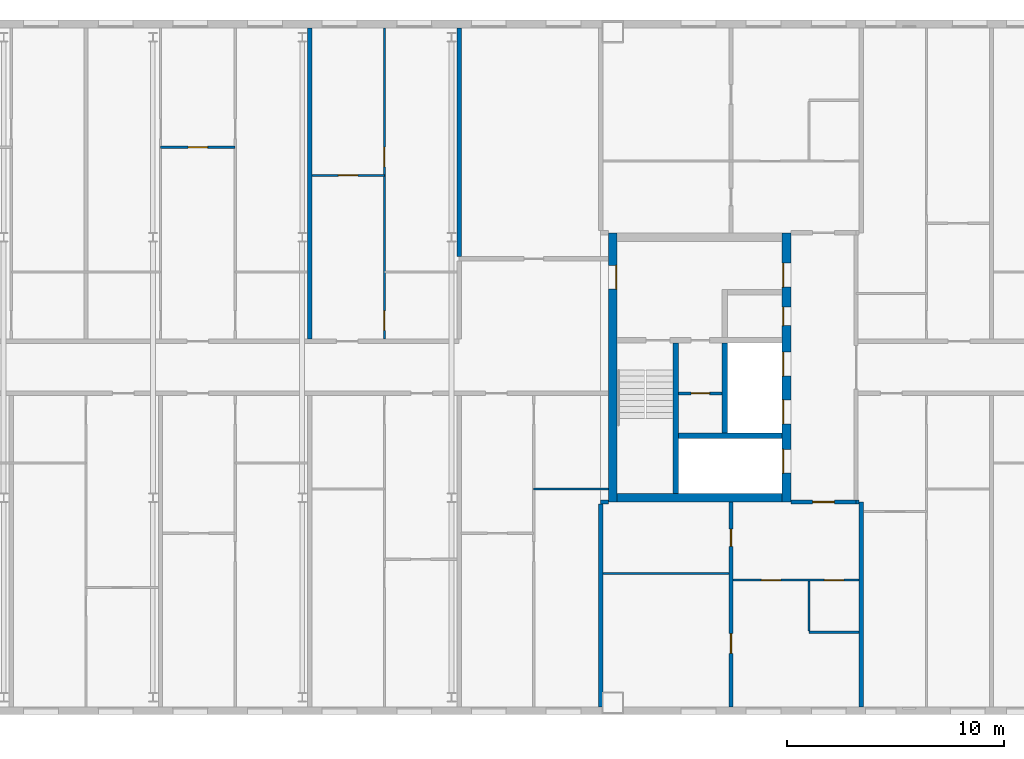
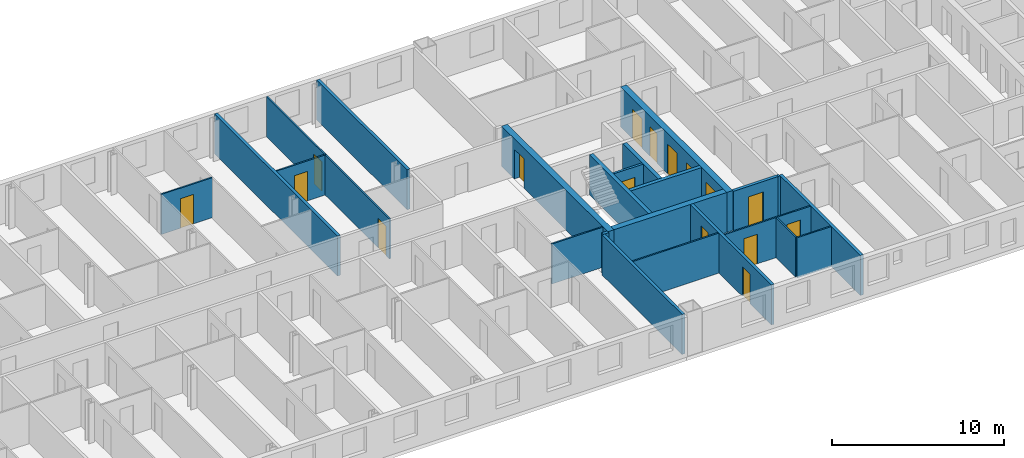
# One storey, part 13 of 19: 23 walls, 16 doors, 16 openings.
"""IFC4 building model written with IfcOpenShell, lengths in metres."""

import ifcopenshell
import ifcopenshell.guid

model = None  # the IFC model being written
_history = None  # IfcOwnerHistory: only IFC2X3 demands one
_inside = {}  # id of a spatial element -> (the spatial element, [elements in it])
_under = {}  # id of a project, library or spatial element -> (it, [spatial elements below it])
_declared = {}  # id of a project -> (the project, [libraries it declares])
_typed = {}  # id of a type object -> (the type object, [elements of that type])
_made_of = {}  # id of a material, layer set ... -> (it, [elements and type objects made of it])


def new_model(schema):
    """Start an empty IFC model of exactly this schema.

    Asked for "IFC4X3", IfcOpenShell would pick the latest addendum, in which some entities
    have other attributes; the version numbers below select the first issue.
    IFC2X3 requires an IfcOwnerHistory on every rooted entity: one is made here for all.
    """
    global model, _history
    if schema == "IFC4X3":
        model = ifcopenshell.file(schema_version=(4, 3, 0, 0))
    else:
        model = ifcopenshell.file(schema=schema)
    _inside.clear()
    _under.clear()
    _declared.clear()
    _typed.clear()
    _made_of.clear()
    _history = None
    if model.schema == "IFC2X3":
        org = make("IfcOrganization", Name="unknown")
        user = make(
            "IfcPersonAndOrganization",
            ThePerson=make("IfcPerson", FamilyName="unknown"),
            TheOrganization=org,
        )
        app = make(
            "IfcApplication",
            ApplicationDeveloper=org,
            Version="unknown",
            ApplicationFullName="unknown",
            ApplicationIdentifier="unknown",
        )
        _history = make(
            "IfcOwnerHistory",
            OwningUser=user,
            OwningApplication=app,
            ChangeAction="ADDED",
            CreationDate=0,
        )
    return model


def make(cls, **values):
    """One entity of the class cls with the attributes given. An attribute that is None is left unset."""
    return model.create_entity(
        cls, **{name: value for name, value in values.items() if value is not None}
    )


def rooted(cls, **values):
    """An entity with a GlobalId (a new one), such as an element, a storey or a relation."""
    return make(cls, GlobalId=ifcopenshell.guid.new(), OwnerHistory=_history, **values)


def si_unit(unit_type, name, prefix=None):
    """IfcSIUnit, for example si_unit("LENGTHUNIT", "METRE", prefix="MILLI")."""
    return make("IfcSIUnit", UnitType=unit_type, Prefix=prefix, Name=name)


def assignment(units):
    """IfcUnitAssignment: the units of a project."""
    return None if units is None else make("IfcUnitAssignment", Units=units)


def point(xyz):
    """IfcCartesianPoint."""
    return None if xyz is None else make("IfcCartesianPoint", Coordinates=xyz)


def direction(xyz):
    """IfcDirection."""
    return None if xyz is None else make("IfcDirection", DirectionRatios=xyz)


def frame(location, z_axis=None, x_axis=None):
    """IfcAxis2Placement3D, a coordinate frame: its origin and axes. An axis left out is left unset."""
    return make(
        "IfcAxis2Placement3D",
        Location=point(location),
        Axis=direction(z_axis),
        RefDirection=direction(x_axis),
    )


def frame_2d(location, x_axis=None):
    """IfcAxis2Placement2D, a coordinate frame in the plane: its origin and x axis."""
    return make(
        "IfcAxis2Placement2D", Location=point(location), RefDirection=direction(x_axis)
    )


def origin():
    """The frame at (0, 0, 0) with its axes left unset."""
    return frame((0.0, 0.0, 0.0))


def place(relative_to, where):
    """IfcLocalPlacement: puts the frame where relative to a parent placement (None: the world)."""
    return make(
        "IfcLocalPlacement", PlacementRelTo=relative_to, RelativePlacement=where
    )


def context(
    kind, dimensions, precision=None, world=None, true_north=None, identifier=None
):
    """IfcGeometricRepresentationContext, for example the 3D "Model" context."""
    return make(
        "IfcGeometricRepresentationContext",
        ContextIdentifier=identifier,
        ContextType=kind,
        CoordinateSpaceDimension=dimensions,
        Precision=precision,
        WorldCoordinateSystem=world,
        TrueNorth=true_north,
    )


def subcontext(parent, identifier, kind, view, scale=None):
    """IfcGeometricRepresentationSubContext, for example "Body" below "Model"."""
    return make(
        "IfcGeometricRepresentationSubContext",
        ContextIdentifier=identifier,
        ContextType=kind,
        ParentContext=parent,
        TargetScale=scale,
        TargetView=view,
    )


def project(units=None, contexts=None):
    """IfcProject with its units and contexts."""
    return rooted(
        "IfcProject",
        Name="project",
        RepresentationContexts=contexts,
        UnitsInContext=assignment(units),
    )


def spatial(cls, under=None, at=None, **own):
    """A site, building, storey or space (cls), placed at a placement, below another one or the project."""
    s = rooted(cls, ObjectPlacement=at, **own)
    if under is not None:
        _under.setdefault(under.id(), (under, []))[1].append(s)
    return s


def profile(cls, at=None, kind="AREA", **sizes):
    """A parametric profile (cls). Its sizes go by their IFC names, for example OverallWidth=200.0."""
    return make(cls, ProfileType=kind, Position=at, **sizes)


def rectangle(**sizes):
    """IfcRectangleProfileDef."""
    return profile("IfcRectangleProfileDef", **sizes)


def extrude(swept, where, along, depth):
    """IfcExtrudedAreaSolid: the profile swept, set in the frame where, extruded along a direction by depth."""
    return make(
        "IfcExtrudedAreaSolid",
        SweptArea=swept,
        Position=where,
        ExtrudedDirection=direction(along),
        Depth=depth,
    )


def shape(context_of_items, identifier, shape_type, items):
    """IfcShapeRepresentation: the items that make up one representation, for example the "Body"."""
    return make(
        "IfcShapeRepresentation",
        ContextOfItems=context_of_items,
        RepresentationIdentifier=identifier,
        RepresentationType=shape_type,
        Items=items,
    )


def material(Name=None, Category=None):
    """IfcMaterial."""
    return make("IfcMaterial", Name=Name, Category=Category)


def layer(
    of_material, thickness, ventilated=None, Name=None, Category=None, Priority=None
):
    """IfcMaterialLayer: one layer of a wall or slab, of a material (None: an air gap)."""
    return make(
        "IfcMaterialLayer",
        Material=of_material,
        LayerThickness=thickness,
        IsVentilated=ventilated,
        Name=Name,
        Category=Category,
        Priority=Priority,
    )


def layer_set(layers, Name=None):
    """IfcMaterialLayerSet."""
    return make("IfcMaterialLayerSet", MaterialLayers=layers, LayerSetName=Name)


def made_of(thing, what):
    """Note that an element or type object is made of a material, layer set ...; save() writes the relation."""
    if what is not None:
        _made_of.setdefault(what.id(), (what, []))[1].append(thing)
    return thing


def type_object(cls, material=None, **own):
    """A type object (cls), such as IfcWallType, which elements share."""
    return made_of(rooted(cls, **own), material)


def element(
    cls,
    number,
    at=None,
    inside=None,
    cuts=None,
    type_object=None,
    material=None,
    context=None,
    identifier="Body",
    shape_type=None,
    held_by="IfcProductDefinitionShape",
    body=None,
    shapes=None,
    **own,
):
    """One element of the class cls, such as IfcWall. Its Tag is "e" and its number.

    at: its placement. inside: the storey or other place that contains it. cuts: it is an
    opening in that element (IfcRelVoidsElement). A single representation is given by context,
    identifier, shape_type and body (its items); several are given by shapes. held_by: the class
    of the entity that holds the representations. save() writes the other relations.
    """
    e = rooted(cls, Tag="e%d" % number, ObjectPlacement=at, **own)
    if body is not None:
        shapes = [shape(context, identifier, shape_type, body)]
    if shapes is not None:
        e.Representation = make(held_by, Representations=shapes)
    if inside is not None:
        _inside.setdefault(inside.id(), (inside, []))[1].append(e)
    if cuts is not None:
        rooted(
            "IfcRelVoidsElement", RelatingBuildingElement=cuts, RelatedOpeningElement=e
        )
    if type_object is not None:
        _typed.setdefault(type_object.id(), (type_object, []))[1].append(e)
    return made_of(e, material)


def fill(opening, filler):
    """IfcRelFillsElement: the door or window that sits in an opening."""
    return rooted(
        "IfcRelFillsElement",
        RelatingOpeningElement=opening,
        RelatedBuildingElement=filler,
    )


def aggregate(whole, parts):
    """IfcRelAggregates: a whole, such as a stair, and the parts it consists of."""
    return rooted("IfcRelAggregates", RelatingObject=whole, RelatedObjects=parts)


def save(model, path):
    """Write the relations noted so far, then the file.

    IfcRelAggregates (storeys below a building ...), IfcRelContainedInSpatialStructure (elements
    in a storey), IfcRelDefinesByType, IfcRelAssociatesMaterial and IfcRelDeclares: one each for
    every whole, place, type object, material and project.
    """
    for whole, parts in _under.values():
        aggregate(whole, parts)
    for where, things in _inside.values():
        rooted(
            "IfcRelContainedInSpatialStructure",
            RelatedElements=things,
            RelatingStructure=where,
        )
    for kind, things in _typed.values():
        rooted("IfcRelDefinesByType", RelatedObjects=things, RelatingType=kind)
    for what, things in _made_of.values():
        rooted("IfcRelAssociatesMaterial", RelatedObjects=things, RelatingMaterial=what)
    for by, libraries in _declared.values():
        rooted("IfcRelDeclares", RelatingContext=by, RelatedDefinitions=libraries)
    model.write(path)


model = new_model("IFC4")

# Units and contexts
model_context = context("Model", 3, precision=1e-05, world=origin(), true_north=direction((0.0, 1.0)))
body_context = subcontext(model_context, "Body", "Model", "MODEL_VIEW")
ifc_project = project(units=[si_unit("LENGTHUNIT", "METRE"), si_unit("AREAUNIT", "SQUARE_METRE"), si_unit("VOLUMEUNIT", "CUBIC_METRE"), si_unit("PLANEANGLEUNIT", "RADIAN"), si_unit("MASSUNIT", "GRAM", prefix="KILO")], contexts=[model_context])

# Site, building, storey
site_placement = place(None, origin())
site = spatial("IfcSite", under=ifc_project, at=site_placement, CompositionType="ELEMENT")
building_placement = place(site_placement, origin())
building = spatial("IfcBuilding", under=site, at=building_placement, Name="Tuart Gate Housing", CompositionType="ELEMENT")
storey_placement = place(building_placement, frame((0.0, 0.0, 227.60009765625)))
storey = spatial("IfcBuildingStorey", under=building, at=storey_placement, Name="L64", CompositionType="ELEMENT", Elevation=227.60009765625)

# Wall, opening, door
ifc_material_1 = material(Name="Plasterboard partition")
ifc_layer_1 = layer(ifc_material_1, 0.14990234375)
ifc_layer_set_1 = layer_set([ifc_layer_1], Name="Core partition 150")
wall_type_1 = type_object("IfcWallType", Name="Core partition 150", PredefinedType="PARTITIONING", material=ifc_layer_set_1)
wall_1_placement = place(storey_placement, frame((136.5849609375, 68.800048828125, 0.0), z_axis=(0.0, 0.0, 1.0), x_axis=(-1.0, 0.0, 0.0)))
wall_1 = element("IfcWall", 1, at=wall_1_placement, inside=storey, type_object=wall_type_1, Name="Core partition BG.2", PredefinedType="PARTITIONING", context=body_context, shape_type="SweptSolid", body=[
    extrude(rectangle(XDim=2.0, YDim=0.14990234375, at=frame_2d((1.0, 0.0))), origin(), (0.0, 0.0, 1.0), 2.849853515625),
])
opening_1_placement = place(wall_1_placement, frame((0.574951171875, 0.0, 0.0)))
opening_1 = element("IfcOpeningElement", 2, at=opening_1_placement, cuts=wall_1, Name="Opening D2421", PredefinedType="OPENING", context=body_context, shape_type="SweptSolid", body=[
    extrude(rectangle(XDim=0.85009765625, YDim=2.10009765625, at=frame_2d((0.425048828125, 1.050048828125))), frame((0.0, 0.0849609375, 0.0), z_axis=(0.0, -1.0, 0.0), x_axis=(1.0, 0.0, 0.0)), (0.0, 0.0, 1.0), 0.169921875),
])
ifc_material_2 = material(Name="Steel fire door", Category="steel")
door_type_1 = type_object("IfcDoorType", Name="Service door 850 x 2100 RH", OperationType="SINGLE_SWING_RIGHT", PredefinedType="DOOR", material=ifc_material_2)
door_1_placement = place(opening_1_placement, frame((0.85009765625, 0.0, 0.0), z_axis=(0.0, 0.0, 1.0), x_axis=(-1.0, 0.0, 0.0)))
door_1 = element("IfcDoor", 3, at=door_1_placement, inside=storey, type_object=door_type_1, Name="Service room door BG.W2", OperationType="SINGLE_SWING_RIGHT", OverallHeight=2.10009765625, OverallWidth=0.85009765625, PredefinedType="DOOR", context=body_context, shape_type="SweptSolid", body=[
    extrude(rectangle(XDim=0.85009765625, YDim=2.10009765625, at=frame_2d((0.425048828125, 1.050048828125))), frame((0.0, 0.025146484375, 0.0), z_axis=(0.0, -1.0, 0.0), x_axis=(1.0, 0.0, 0.0)), (0.0, 0.0, 1.0), 0.050048828125),
])
fill(opening_1, door_1)

# Walls
ifc_material_3 = material(Name="Concrete C40", Category="concrete")
ifc_layer_2 = layer(ifc_material_3, 0.25)
ifc_layer_set_2 = layer_set([ifc_layer_2], Name="Core wall 250 C40")
wall_type_2 = type_object("IfcWallType", Name="Core wall 250 C40", PredefinedType="SHEAR", material=ifc_layer_set_2)
wall_2_placement = place(storey_placement, frame((139.360107421875, 66.85009765625, 0.0), z_axis=(0.0, 0.0, 1.0), x_axis=(-1.0, 0.0, 0.0)))
element("IfcWall", 4, at=wall_2_placement, inside=storey, type_object=wall_type_2, Name="Core wall BG.1", PredefinedType="SHEAR", context=body_context, shape_type="SweptSolid", body=[
    extrude(rectangle(XDim=4.775146484375, YDim=0.25, at=frame_2d((2.3876953125, 0.0))), origin(), (0.0, 0.0, 1.0), 2.849853515625),
])
wall_3_placement = place(storey_placement, frame((136.7099609375, 66.97509765625, 0.0), z_axis=(0.0, 0.0, 1.0), x_axis=(0.0, 1.0, 0.0)))
element("IfcWall", 5, at=wall_3_placement, inside=storey, type_object=wall_type_2, Name="Core wall BG.5", PredefinedType="SHEAR", context=body_context, shape_type="SweptSolid", body=[
    extrude(rectangle(XDim=4.14990234375, YDim=0.25, at=frame_2d((2.074951171875, 0.0))), origin(), (0.0, 0.0, 1.0), 2.849853515625),
])
wall_4_placement = place(storey_placement, frame((134.4599609375, 64.199951171875, 0.0), z_axis=(0.0, 0.0, 1.0), x_axis=(0.0, 1.0, 0.0)))
element("IfcWall", 6, at=wall_4_placement, inside=storey, type_object=wall_type_2, Name="Core wall BG.7", PredefinedType="SHEAR", context=body_context, shape_type="SweptSolid", body=[
    extrude(rectangle(XDim=6.925048828125, YDim=0.25, at=frame_2d((3.46240234375, 0.0))), origin(), (0.0, 0.0, 1.0), 2.849853515625),
])

# Wall, openings, doors
ifc_material_4 = material(Name="Concrete C40", Category="concrete")
ifc_layer_3 = layer(ifc_material_4, 0.39990234375)
ifc_layer_set_3 = layer_set([ifc_layer_3], Name="Core wall 400 C40")
wall_type_3 = type_object("IfcWallType", Name="Core wall 400 C40", PredefinedType="SHEAR", material=ifc_layer_set_3)
wall_5_placement = place(storey_placement, frame((139.56005859375, 63.800048828125, 0.0), z_axis=(0.0, 0.0, 1.0), x_axis=(0.0, 1.0, 0.0)))
wall_5 = element("IfcWall", 7, at=wall_5_placement, inside=storey, type_object=wall_type_3, Name="Core wall BG front", PredefinedType="SHEAR", context=body_context, shape_type="SweptSolid", body=[
    extrude(rectangle(XDim=12.39990234375, YDim=0.39990234375, at=frame_2d((6.199951171875, 0.0))), origin(), (0.0, 0.0, 1.0), 2.849853515625),
])
opening_2_placement = place(wall_5_placement, frame((1.324951171875, 0.0, 0.0)))
opening_2 = element("IfcOpeningElement", 8, at=opening_2_placement, cuts=wall_5, Name="Opening LD-FB1", PredefinedType="OPENING", context=body_context, shape_type="SweptSolid", body=[
    extrude(rectangle(XDim=1.10009765625, YDim=2.10009765625, at=frame_2d((0.550048828125, 1.050048828125))), frame((0.0, 0.2099609375, 0.0), z_axis=(0.0, -1.0, 0.0), x_axis=(1.0, 0.0, 0.0)), (0.0, 0.0, 1.0), 0.419921875),
])
opening_3_placement = place(wall_5_placement, frame((3.60009765625, 0.0, 0.0)))
opening_3 = element("IfcOpeningElement", 9, at=opening_3_placement, cuts=wall_5, Name="Opening LD-LB1", PredefinedType="OPENING", context=body_context, shape_type="SweptSolid", body=[
    extrude(rectangle(XDim=1.10009765625, YDim=2.10009765625, at=frame_2d((0.550048828125, 1.050048828125))), frame((0.0, 0.2099609375, 0.0), z_axis=(0.0, -1.0, 0.0), x_axis=(1.0, 0.0, 0.0)), (0.0, 0.0, 1.0), 0.419921875),
])
opening_4_placement = place(wall_5_placement, frame((5.800048828125, 0.0, 0.0)))
opening_4 = element("IfcOpeningElement", 10, at=opening_4_placement, cuts=wall_5, Name="Opening LD-LB2", PredefinedType="OPENING", context=body_context, shape_type="SweptSolid", body=[
    extrude(rectangle(XDim=1.10009765625, YDim=2.10009765625, at=frame_2d((0.550048828125, 1.050048828125))), frame((0.0, 0.2099609375, 0.0), z_axis=(0.0, -1.0, 0.0), x_axis=(1.0, 0.0, 0.0)), (0.0, 0.0, 1.0), 0.419921875),
])
opening_5_placement = place(wall_5_placement, frame((9.89990234375, 0.0, 0.0)))
opening_5 = element("IfcOpeningElement", 11, at=opening_5_placement, cuts=wall_5, Name="Opening D2413", PredefinedType="OPENING", context=body_context, shape_type="SweptSolid", body=[
    extrude(rectangle(XDim=1.10009765625, YDim=2.10009765625, at=frame_2d((0.550048828125, 1.050048828125))), frame((0.0, 0.2099609375, 0.0), z_axis=(0.0, -1.0, 0.0), x_axis=(1.0, 0.0, 0.0)), (0.0, 0.0, 1.0), 0.419921875),
])
opening_6_placement = place(wall_5_placement, frame((8.125, 0.0, 0.0)))
opening_6 = element("IfcOpeningElement", 12, at=opening_6_placement, cuts=wall_5, Name="Opening D2414", PredefinedType="OPENING", context=body_context, shape_type="SweptSolid", body=[
    extrude(rectangle(XDim=0.85009765625, YDim=2.10009765625, at=frame_2d((0.425048828125, 1.050048828125))), frame((0.0, 0.2099609375, 0.0), z_axis=(0.0, -1.0, 0.0), x_axis=(1.0, 0.0, 0.0)), (0.0, 0.0, 1.0), 0.419921875),
])
ifc_material_5 = material(Name="Stainless steel", Category="steel")
door_type_2 = type_object("IfcDoorType", Name="Landing door 1100 x 2100", OperationType="DOUBLE_DOOR_SLIDING", PredefinedType="DOOR", material=ifc_material_5)
door_2_placement = place(opening_2_placement, origin())
door_2 = element("IfcDoor", 13, at=door_2_placement, inside=storey, type_object=door_type_2, Name="Lift landing door FB1", OperationType="DOUBLE_DOOR_SLIDING", OverallHeight=2.10009765625, OverallWidth=1.10009765625, PredefinedType="DOOR", context=body_context, shape_type="SweptSolid", body=[
    extrude(rectangle(XDim=1.10009765625, YDim=2.10009765625, at=frame_2d((0.550048828125, 1.050048828125))), frame((0.0, 0.18505859375, 0.0), z_axis=(0.0, -1.0, 0.0), x_axis=(1.0, 0.0, 0.0)), (0.0, 0.0, 1.0), 0.050048828125),
])
fill(opening_2, door_2)
door_3_placement = place(opening_3_placement, origin())
door_3 = element("IfcDoor", 14, at=door_3_placement, inside=storey, type_object=door_type_2, Name="Lift landing door LB1", OperationType="DOUBLE_DOOR_SLIDING", OverallHeight=2.10009765625, OverallWidth=1.10009765625, PredefinedType="DOOR", context=body_context, shape_type="SweptSolid", body=[
    extrude(rectangle(XDim=1.10009765625, YDim=2.10009765625, at=frame_2d((0.550048828125, 1.050048828125))), frame((0.0, 0.18505859375, 0.0), z_axis=(0.0, -1.0, 0.0), x_axis=(1.0, 0.0, 0.0)), (0.0, 0.0, 1.0), 0.050048828125),
])
fill(opening_3, door_3)
door_4_placement = place(opening_4_placement, origin())
door_4 = element("IfcDoor", 15, at=door_4_placement, inside=storey, type_object=door_type_2, Name="Lift landing door LB2", OperationType="DOUBLE_DOOR_SLIDING", OverallHeight=2.10009765625, OverallWidth=1.10009765625, PredefinedType="DOOR", context=body_context, shape_type="SweptSolid", body=[
    extrude(rectangle(XDim=1.10009765625, YDim=2.10009765625, at=frame_2d((0.550048828125, 1.050048828125))), frame((0.0, 0.18505859375, 0.0), z_axis=(0.0, -1.0, 0.0), x_axis=(1.0, 0.0, 0.0)), (0.0, 0.0, 1.0), 0.050048828125),
])
fill(opening_4, door_4)
ifc_material_6 = material(Name="Steel fire door", Category="steel")
door_type_3 = type_object("IfcDoorType", Name="Lobby door 1100 x 2100", OperationType="SINGLE_SWING_LEFT", PredefinedType="DOOR", material=ifc_material_6)
door_5_placement = place(opening_5_placement, origin())
door_5 = element("IfcDoor", 16, at=door_5_placement, inside=storey, type_object=door_type_3, Name="Lobby entry door BG.EN", OperationType="SINGLE_SWING_LEFT", OverallHeight=2.10009765625, OverallWidth=1.10009765625, PredefinedType="DOOR", context=body_context, shape_type="SweptSolid", body=[
    extrude(rectangle(XDim=1.10009765625, YDim=2.10009765625, at=frame_2d((0.550048828125, 1.050048828125))), frame((0.0, 0.18505859375, 0.0), z_axis=(0.0, -1.0, 0.0), x_axis=(1.0, 0.0, 0.0)), (0.0, 0.0, 1.0), 0.050048828125),
])
fill(opening_5, door_5)
ifc_material_7 = material(Name="Steel fire door", Category="steel")
door_type_4 = type_object("IfcDoorType", Name="Service door 850 x 2100", OperationType="SINGLE_SWING_LEFT", PredefinedType="DOOR", material=ifc_material_7)
door_6_placement = place(opening_6_placement, origin())
door_6 = element("IfcDoor", 17, at=door_6_placement, inside=storey, type_object=door_type_4, Name="Service room door BG.T1", OperationType="SINGLE_SWING_LEFT", OverallHeight=2.10009765625, OverallWidth=0.85009765625, PredefinedType="DOOR", context=body_context, shape_type="SweptSolid", body=[
    extrude(rectangle(XDim=0.85009765625, YDim=2.10009765625, at=frame_2d((0.425048828125, 1.050048828125))), frame((0.0, 0.18505859375, 0.0), z_axis=(0.0, -1.0, 0.0), x_axis=(1.0, 0.0, 0.0)), (0.0, 0.0, 1.0), 0.050048828125),
])
fill(opening_6, door_6)

# Wall, opening, door
wall_6_placement = place(storey_placement, frame((131.56005859375, 63.800048828125, 0.0), z_axis=(0.0, 0.0, 1.0), x_axis=(0.0, 1.0, 0.0)))
wall_6 = element("IfcWall", 18, at=wall_6_placement, inside=storey, type_object=wall_type_3, Name="Core wall BG back", PredefinedType="SHEAR", context=body_context, shape_type="SweptSolid", body=[
    extrude(rectangle(XDim=12.39990234375, YDim=0.39990234375, at=frame_2d((6.199951171875, 0.0))), origin(), (0.0, 0.0, 1.0), 2.849853515625),
])
opening_7_placement = place(wall_6_placement, frame((9.800048828125, 0.0, 0.0)))
opening_7 = element("IfcOpeningElement", 19, at=opening_7_placement, cuts=wall_6, Name="Opening D2412", PredefinedType="OPENING", context=body_context, shape_type="SweptSolid", body=[
    extrude(rectangle(XDim=1.10009765625, YDim=2.10009765625, at=frame_2d((0.550048828125, 1.050048828125))), frame((0.0, 0.2099609375, 0.0), z_axis=(0.0, -1.0, 0.0), x_axis=(1.0, 0.0, 0.0)), (0.0, 0.0, 1.0), 0.419921875),
])
door_7_placement = place(opening_7_placement, frame((1.10009765625, 0.0, 0.0), z_axis=(0.0, 0.0, 1.0), x_axis=(-1.0, 0.0, 0.0)))
door_7 = element("IfcDoor", 20, at=door_7_placement, inside=storey, type_object=door_type_3, Name="Link door BG.LK", OperationType="SINGLE_SWING_LEFT", OverallHeight=2.10009765625, OverallWidth=1.10009765625, PredefinedType="DOOR", context=body_context, shape_type="SweptSolid", body=[
    extrude(rectangle(XDim=1.10009765625, YDim=2.10009765625, at=frame_2d((0.550048828125, 1.050048828125))), frame((0.0, 0.184814453125, 0.0), z_axis=(0.0, -1.0, 0.0), x_axis=(1.0, 0.0, 0.0)), (0.0, 0.0, 1.0), 0.050048828125),
])
fill(opening_7, door_7)

# Wall
wall_7_placement = place(storey_placement, frame((139.360107421875, 64.0, 0.0), z_axis=(0.0, 0.0, 1.0), x_axis=(-1.0, 0.0, 0.0)))
element("IfcWall", 21, at=wall_7_placement, inside=storey, type_object=wall_type_3, Name="Core wall BG south", PredefinedType="SHEAR", context=body_context, shape_type="SweptSolid", body=[
    extrude(rectangle(XDim=7.60009765625, YDim=0.39990234375, at=frame_2d((3.800048828125, 0.0))), origin(), (0.0, 0.0, 1.0), 2.849853515625),
])

# Wall, opening, door
ifc_material_8 = material(Name="Concrete masonry 15 MPa", Category="masonry")
ifc_layer_4 = layer(ifc_material_8, 0.199951171875)
ifc_layer_set_4 = layer_set([ifc_layer_4], Name="Enclosure wall masonry 200")
wall_type_4 = type_object("IfcWallType", Name="Enclosure wall masonry 200", PredefinedType="PARTITIONING", material=ifc_layer_set_4)
wall_8_placement = place(storey_placement, frame((139.760009765625, 63.800048828125, 0.0), z_axis=(0.0, 0.0, 1.0), x_axis=(1.0, 0.0, 0.0)))
wall_8 = element("IfcWall", 22, at=wall_8_placement, inside=storey, type_object=wall_type_4, Name="Enclosure wall masonry 200", PredefinedType="PARTITIONING", context=body_context, shape_type="SweptSolid", body=[
    extrude(rectangle(XDim=3.0, YDim=0.199951171875, at=frame_2d((1.5, 0.0))), origin(), (0.0, 0.0, 1.0), 2.849853515625),
])
opening_8_placement = place(wall_8_placement, frame((1.0, 0.0, 0.0)))
opening_8 = element("IfcOpeningElement", 23, at=opening_8_placement, cuts=wall_8, Name="Opening D2426", PredefinedType="OPENING", context=body_context, shape_type="SweptSolid", body=[
    extrude(rectangle(XDim=1.0, YDim=2.10009765625, at=frame_2d((0.5, 1.050048828125))), frame((0.0, 0.10986328125, 0.0), z_axis=(0.0, -1.0, 0.0), x_axis=(1.0, 0.0, 0.0)), (0.0, 0.0, 1.0), 0.219970703125),
])
ifc_material_9 = material(Name="Timber door leaf in steel frame", Category="steel")
door_type_5 = type_object("IfcDoorType", Name="Flat entrance door 1000", OperationType="SINGLE_SWING_LEFT", PredefinedType="DOOR", material=ifc_material_9)
door_8_placement = place(opening_8_placement, frame((1.0, 0.0, 0.0), z_axis=(0.0, 0.0, 1.0), x_axis=(-1.0, 0.0, 0.0)))
door_8 = element("IfcDoor", 24, at=door_8_placement, inside=storey, type_object=door_type_5, Name="Flat entrance door", OperationType="SINGLE_SWING_LEFT", OverallHeight=2.10009765625, OverallWidth=1.0, PredefinedType="DOOR", context=body_context, shape_type="SweptSolid", body=[
    extrude(rectangle(XDim=1.0, YDim=2.10009765625, at=frame_2d((0.5, 1.050048828125))), frame((0.0, 0.025146484375, 0.0), z_axis=(0.0, -1.0, 0.0), x_axis=(1.0, 0.0, 0.0)), (0.0, 0.0, 1.0), 0.050048828125),
])
fill(opening_8, door_8)

# Wall
ifc_material_10 = material(Name="Gypsum board on steel studs", Category="steel")
ifc_layer_5 = layer(ifc_material_10, 0.10009765625)
ifc_layer_set_5 = layer_set([ifc_layer_5], Name="Partition 100")
wall_type_5 = type_object("IfcWallType", Name="Partition 100", PredefinedType="PARTITIONING", material=ifc_layer_set_5)
wall_9_placement = place(storey_placement, frame((140.60009765625, 57.800048828125, 0.0), z_axis=(0.0, 0.0, 1.0), x_axis=(1.0, 0.0, 0.0)))
element("IfcWall", 25, at=wall_9_placement, inside=storey, type_object=wall_type_5, Name="Partition 100", PredefinedType="PARTITIONING", context=body_context, shape_type="SweptSolid", body=[
    extrude(rectangle(XDim=2.2998046875, YDim=0.10009765625, at=frame_2d((1.14990234375, 0.0))), origin(), (0.0, 0.0, 1.0), 2.849853515625),
])

# Wall, openings, doors
wall_10_placement = place(storey_placement, frame((137.10009765625, 60.199951171875, 0.0), z_axis=(0.0, 0.0, 1.0), x_axis=(1.0, 0.0, 0.0)))
wall_10 = element("IfcWall", 26, at=wall_10_placement, inside=storey, type_object=wall_type_5, Name="Partition 100", PredefinedType="PARTITIONING", context=body_context, shape_type="SweptSolid", body=[
    extrude(rectangle(XDim=5.7998046875, YDim=0.10009765625, at=frame_2d((2.89990234375, 0.0))), origin(), (0.0, 0.0, 1.0), 2.849853515625),
])
opening_9_placement = place(wall_10_placement, frame((1.300048828125, 0.0, 0.0)))
opening_9 = element("IfcOpeningElement", 27, at=opening_9_placement, cuts=wall_10, Name="Opening D2435", PredefinedType="OPENING", context=body_context, shape_type="SweptSolid", body=[
    extrude(rectangle(XDim=0.89990234375, YDim=2.10009765625, at=frame_2d((0.449951171875, 1.050048828125))), frame((0.0, 0.06005859375, 0.0), z_axis=(0.0, -1.0, 0.0), x_axis=(1.0, 0.0, 0.0)), (0.0, 0.0, 1.0), 0.1201171875),
])
opening_10_placement = place(wall_10_placement, frame((4.199951171875, 0.0, 0.0)))
opening_10 = element("IfcOpeningElement", 28, at=opening_10_placement, cuts=wall_10, Name="Opening D2434", PredefinedType="OPENING", context=body_context, shape_type="SweptSolid", body=[
    extrude(rectangle(XDim=0.89990234375, YDim=2.10009765625, at=frame_2d((0.449951171875, 1.050048828125))), frame((0.0, 0.06005859375, 0.0), z_axis=(0.0, -1.0, 0.0), x_axis=(1.0, 0.0, 0.0)), (0.0, 0.0, 1.0), 0.1201171875),
])
ifc_material_11 = material(Name="Timber door leaf in steel frame", Category="steel")
door_type_6 = type_object("IfcDoorType", Name="Bathroom door 900 RH", OperationType="SINGLE_SWING_RIGHT", PredefinedType="DOOR", material=ifc_material_11)
door_9_placement = place(opening_10_placement, frame((0.89990234375, 0.0, 0.0), z_axis=(0.0, 0.0, 1.0), x_axis=(-1.0, 0.0, 0.0)))
door_9 = element("IfcDoor", 29, at=door_9_placement, inside=storey, type_object=door_type_6, Name="Bathroom door", OperationType="SINGLE_SWING_RIGHT", OverallHeight=2.10009765625, OverallWidth=0.89990234375, PredefinedType="DOOR", context=body_context, shape_type="SweptSolid", body=[
    extrude(rectangle(XDim=0.89990234375, YDim=2.10009765625, at=frame_2d((0.449951171875, 1.050048828125))), frame((0.0, 0.025146484375, 0.0), z_axis=(0.0, -1.0, 0.0), x_axis=(1.0, 0.0, 0.0)), (0.0, 0.0, 1.0), 0.050048828125),
])
fill(opening_10, door_9)
ifc_material_12 = material(Name="Timber door leaf in steel frame", Category="steel")
door_type_7 = type_object("IfcDoorType", Name="Internal door 900", OperationType="SINGLE_SWING_LEFT", PredefinedType="DOOR", material=ifc_material_12)
door_10_placement = place(opening_9_placement, origin())
door_10 = element("IfcDoor", 30, at=door_10_placement, inside=storey, type_object=door_type_7, Name="Internal door", OperationType="SINGLE_SWING_LEFT", OverallHeight=2.10009765625, OverallWidth=0.89990234375, PredefinedType="DOOR", context=body_context, shape_type="SweptSolid", body=[
    extrude(rectangle(XDim=0.89990234375, YDim=2.10009765625, at=frame_2d((0.449951171875, 1.050048828125))), frame((0.0, 0.02490234375, 0.0), z_axis=(0.0, -1.0, 0.0), x_axis=(1.0, 0.0, 0.0)), (0.0, 0.0, 1.0), 0.050048828125),
])
fill(opening_9, door_10)

# Walls
wall_11_placement = place(storey_placement, frame((131.10009765625, 60.5, 0.0), z_axis=(0.0, 0.0, 1.0), x_axis=(1.0, 0.0, 0.0)))
element("IfcWall", 31, at=wall_11_placement, inside=storey, type_object=wall_type_5, Name="Partition 100", PredefinedType="PARTITIONING", context=body_context, shape_type="SweptSolid", body=[
    extrude(rectangle(XDim=5.7998046875, YDim=0.10009765625, at=frame_2d((2.89990234375, 0.0))), origin(), (0.0, 0.0, 1.0), 2.849853515625),
])
wall_12_placement = place(storey_placement, frame((127.912109375, 64.39990234375, 0.0), z_axis=(0.0, 0.0, 1.0), x_axis=(1.0, 0.0, 0.0)))
element("IfcWall", 32, at=wall_12_placement, inside=storey, type_object=wall_type_5, Name="Partition 100", PredefinedType="PARTITIONING", context=body_context, shape_type="SweptSolid", body=[
    extrude(rectangle(XDim=3.447998046875, YDim=0.10009765625, at=frame_2d((1.72412109375, 0.0))), origin(), (0.0, 0.0, 1.0), 2.849853515625),
])

# Wall, opening, door
wall_13_placement = place(storey_placement, frame((117.699951171875, 78.840087890625, 0.0), z_axis=(0.0, 0.0, 1.0), x_axis=(1.0, 0.0, 0.0)))
wall_13 = element("IfcWall", 33, at=wall_13_placement, inside=storey, type_object=wall_type_5, Name="Partition 100", PredefinedType="PARTITIONING", context=body_context, shape_type="SweptSolid", body=[
    extrude(rectangle(XDim=3.337158203125, YDim=0.10009765625, at=frame_2d((1.66845703125, 0.0))), origin(), (0.0, 0.0, 1.0), 2.849853515625),
])
opening_11_placement = place(wall_13_placement, frame((1.218505859375, 0.0, 0.0)))
opening_11 = element("IfcOpeningElement", 34, at=opening_11_placement, cuts=wall_13, Name="Opening D2335", PredefinedType="OPENING", context=body_context, shape_type="SweptSolid", body=[
    extrude(rectangle(XDim=0.89990234375, YDim=2.10009765625, at=frame_2d((0.449951171875, 1.050048828125))), frame((0.0, 0.06005859375, 0.0), z_axis=(0.0, -1.0, 0.0), x_axis=(1.0, 0.0, 0.0)), (0.0, 0.0, 1.0), 0.1201171875),
])
door_11_placement = place(opening_11_placement, frame((0.89990234375, 0.0, 0.0), z_axis=(0.0, 0.0, 1.0), x_axis=(-1.0, 0.0, 0.0)))
door_11 = element("IfcDoor", 35, at=door_11_placement, inside=storey, type_object=door_type_7, Name="Internal door", OperationType="SINGLE_SWING_LEFT", OverallHeight=2.10009765625, OverallWidth=0.89990234375, PredefinedType="DOOR", context=body_context, shape_type="SweptSolid", body=[
    extrude(rectangle(XDim=0.89990234375, YDim=2.10009765625, at=frame_2d((0.449951171875, 1.050048828125))), frame((0.0, 0.025146484375, 0.0), z_axis=(0.0, -1.0, 0.0), x_axis=(1.0, 0.0, 0.0)), (0.0, 0.0, 1.0), 0.050048828125),
])
fill(opening_11, door_11)

wall_14_placement = place(storey_placement, frame((110.72509765625, 80.139892578125, 0.0), z_axis=(0.0, 0.0, 1.0), x_axis=(1.0, 0.0, 0.0)))
wall_14 = element("IfcWall", 36, at=wall_14_placement, inside=storey, type_object=wall_type_5, Name="Partition 100", PredefinedType="PARTITIONING", context=body_context, shape_type="SweptSolid", body=[
    extrude(rectangle(XDim=3.43701171875, YDim=0.10009765625, at=frame_2d((1.718505859375, 0.0))), origin(), (0.0, 0.0, 1.0), 2.849853515625),
])
opening_12_placement = place(wall_14_placement, frame((1.2685546875, 0.0, 0.0)))
opening_12 = element("IfcOpeningElement", 37, at=opening_12_placement, cuts=wall_14, Name="Opening D2334", PredefinedType="OPENING", context=body_context, shape_type="SweptSolid", body=[
    extrude(rectangle(XDim=0.89990234375, YDim=2.10009765625, at=frame_2d((0.449951171875, 1.050048828125))), frame((0.0, 0.06005859375, 0.0), z_axis=(0.0, -1.0, 0.0), x_axis=(1.0, 0.0, 0.0)), (0.0, 0.0, 1.0), 0.1201171875),
])
ifc_material_13 = material(Name="Timber door leaf in steel frame", Category="steel")
door_type_8 = type_object("IfcDoorType", Name="Internal door 900 RH", OperationType="SINGLE_SWING_RIGHT", PredefinedType="DOOR", material=ifc_material_13)
door_12_placement = place(opening_12_placement, frame((0.89990234375, 0.0, 0.0), z_axis=(0.0, 0.0, 1.0), x_axis=(-1.0, 0.0, 0.0)))
door_12 = element("IfcDoor", 38, at=door_12_placement, inside=storey, type_object=door_type_8, Name="Internal door", OperationType="SINGLE_SWING_RIGHT", OverallHeight=2.10009765625, OverallWidth=0.89990234375, PredefinedType="DOOR", context=body_context, shape_type="SweptSolid", body=[
    extrude(rectangle(XDim=0.89990234375, YDim=2.10009765625, at=frame_2d((0.449951171875, 1.050048828125))), frame((0.0, 0.025146484375, 0.0), z_axis=(0.0, -1.0, 0.0), x_axis=(1.0, 0.0, 0.0)), (0.0, 0.0, 1.0), 0.050048828125),
])
fill(opening_12, door_12)

# Wall, openings, doors
wall_15_placement = place(storey_placement, frame((121.037109375, 71.300048828125, 0.0), z_axis=(0.0, 0.0, 1.0), x_axis=(0.0, 1.0, 0.0)))
wall_15 = element("IfcWall", 39, at=wall_15_placement, inside=storey, type_object=wall_type_5, Name="Partition 100", PredefinedType="PARTITIONING", context=body_context, shape_type="SweptSolid", body=[
    extrude(rectangle(XDim=14.33984375, YDim=0.10009765625, at=frame_2d((7.169921875, 0.0))), origin(), (0.0, 0.0, 1.0), 2.849853515625),
])
opening_13_placement = place(wall_15_placement, frame((7.93994140625, 0.0, 0.0)))
opening_13 = element("IfcOpeningElement", 40, at=opening_13_placement, cuts=wall_15, Name="Opening D2349", PredefinedType="OPENING", context=body_context, shape_type="SweptSolid", body=[
    extrude(rectangle(XDim=0.89990234375, YDim=2.10009765625, at=frame_2d((0.449951171875, 1.050048828125))), frame((0.0, 0.06005859375, 0.0), z_axis=(0.0, -1.0, 0.0), x_axis=(1.0, 0.0, 0.0)), (0.0, 0.0, 1.0), 0.1201171875),
])
opening_14_placement = place(wall_15_placement, frame((0.39990234375, 0.0, 0.0)))
opening_14 = element("IfcOpeningElement", 41, at=opening_14_placement, cuts=wall_15, Name="Opening D2348", PredefinedType="OPENING", context=body_context, shape_type="SweptSolid", body=[
    extrude(rectangle(XDim=0.89990234375, YDim=2.10009765625, at=frame_2d((0.449951171875, 1.050048828125))), frame((0.0, 0.06005859375, 0.0), z_axis=(0.0, -1.0, 0.0), x_axis=(1.0, 0.0, 0.0)), (0.0, 0.0, 1.0), 0.1201171875),
])
door_13_placement = place(opening_14_placement, frame((0.89990234375, 0.0, 0.0), z_axis=(0.0, 0.0, 1.0), x_axis=(-1.0, 0.0, 0.0)))
door_13 = element("IfcDoor", 42, at=door_13_placement, inside=storey, type_object=door_type_6, Name="Bathroom door", OperationType="SINGLE_SWING_RIGHT", OverallHeight=2.10009765625, OverallWidth=0.89990234375, PredefinedType="DOOR", context=body_context, shape_type="SweptSolid", body=[
    extrude(rectangle(XDim=0.89990234375, YDim=2.10009765625, at=frame_2d((0.449951171875, 1.050048828125))), frame((0.0, 0.025146484375, 0.0), z_axis=(0.0, -1.0, 0.0), x_axis=(1.0, 0.0, 0.0)), (0.0, 0.0, 1.0), 0.050048828125),
])
fill(opening_14, door_13)
door_14_placement = place(opening_13_placement, frame((0.89990234375, 0.0, 0.0), z_axis=(0.0, 0.0, 1.0), x_axis=(-1.0, 0.0, 0.0)))
door_14 = element("IfcDoor", 43, at=door_14_placement, inside=storey, type_object=door_type_8, Name="Internal door", OperationType="SINGLE_SWING_RIGHT", OverallHeight=2.10009765625, OverallWidth=0.89990234375, PredefinedType="DOOR", context=body_context, shape_type="SweptSolid", body=[
    extrude(rectangle(XDim=0.89990234375, YDim=2.10009765625, at=frame_2d((0.449951171875, 1.050048828125))), frame((0.0, 0.025146484375, 0.0), z_axis=(0.0, -1.0, 0.0), x_axis=(1.0, 0.0, 0.0)), (0.0, 0.0, 1.0), 0.050048828125),
])
fill(opening_13, door_14)

# Wall
wall_16_placement = place(storey_placement, frame((140.60009765625, 57.85009765625, 0.0), z_axis=(0.0, 0.0, 1.0), x_axis=(0.0, 1.0, 0.0)))
element("IfcWall", 44, at=wall_16_placement, inside=storey, type_object=wall_type_5, Name="Partition 100", PredefinedType="PARTITIONING", context=body_context, shape_type="SweptSolid", body=[
    extrude(rectangle(XDim=2.2998046875, YDim=0.10009765625, at=frame_2d((1.14990234375, 0.0))), origin(), (0.0, 0.0, 1.0), 2.849853515625),
])

# Wall, openings, doors
ifc_material_14 = material(Name="Concrete C40", Category="concrete")
ifc_layer_6 = layer(ifc_material_14, 0.199951171875)
ifc_layer_set_6 = layer_set([ifc_layer_6], Name="Party wall concrete C40 200")
wall_type_6 = type_object("IfcWallType", Name="Party wall concrete C40 200", PredefinedType="SOLIDWALL", material=ifc_layer_set_6)
wall_17_placement = place(storey_placement, frame((137.0, 54.360107421875, 0.0), z_axis=(0.0, 0.0, 1.0), x_axis=(0.0, 1.0, 0.0)))
wall_17 = element("IfcWall", 45, at=wall_17_placement, inside=storey, type_object=wall_type_6, Name="Party wall concrete C40 200", PredefinedType="SOLIDWALL", context=body_context, shape_type="SweptSolid", body=[
    extrude(rectangle(XDim=9.43994140625, YDim=0.199951171875, at=frame_2d((4.719970703125, 0.0))), origin(), (0.0, 0.0, 1.0), 2.849853515625),
])
opening_15_placement = place(wall_17_placement, frame((2.469970703125, 0.0, 0.0)))
opening_15 = element("IfcOpeningElement", 46, at=opening_15_placement, cuts=wall_17, Name="Opening D2438", PredefinedType="OPENING", context=body_context, shape_type="SweptSolid", body=[
    extrude(rectangle(XDim=0.89990234375, YDim=2.10009765625, at=frame_2d((0.449951171875, 1.050048828125))), frame((0.0, 0.10986328125, 0.0), z_axis=(0.0, -1.0, 0.0), x_axis=(1.0, 0.0, 0.0)), (0.0, 0.0, 1.0), 0.219970703125),
])
opening_16_placement = place(wall_17_placement, frame((7.389892578125, 0.0, 0.0)))
opening_16 = element("IfcOpeningElement", 47, at=opening_16_placement, cuts=wall_17, Name="Opening D2439", PredefinedType="OPENING", context=body_context, shape_type="SweptSolid", body=[
    extrude(rectangle(XDim=0.800048828125, YDim=2.10009765625, at=frame_2d((0.39990234375, 1.050048828125))), frame((0.0, 0.10986328125, 0.0), z_axis=(0.0, -1.0, 0.0), x_axis=(1.0, 0.0, 0.0)), (0.0, 0.0, 1.0), 0.219970703125),
])
door_15_placement = place(opening_15_placement, origin())
door_15 = element("IfcDoor", 48, at=door_15_placement, inside=storey, type_object=door_type_7, Name="Internal door", OperationType="SINGLE_SWING_LEFT", OverallHeight=2.10009765625, OverallWidth=0.89990234375, PredefinedType="DOOR", context=body_context, shape_type="SweptSolid", body=[
    extrude(rectangle(XDim=0.89990234375, YDim=2.10009765625, at=frame_2d((0.449951171875, 1.050048828125))), frame((0.0, 0.02490234375, 0.0), z_axis=(0.0, -1.0, 0.0), x_axis=(1.0, 0.0, 0.0)), (0.0, 0.0, 1.0), 0.050048828125),
])
fill(opening_15, door_15)
ifc_material_15 = material(Name="Timber door leaf in steel frame", Category="steel")
door_type_9 = type_object("IfcDoorType", Name="Store door 800", OperationType="SINGLE_SWING_LEFT", PredefinedType="DOOR", material=ifc_material_15)
door_16_placement = place(opening_16_placement, origin())
door_16 = element("IfcDoor", 49, at=door_16_placement, inside=storey, type_object=door_type_9, Name="Store door", OperationType="SINGLE_SWING_LEFT", OverallHeight=2.10009765625, OverallWidth=0.800048828125, PredefinedType="DOOR", context=body_context, shape_type="SweptSolid", body=[
    extrude(rectangle(XDim=0.800048828125, YDim=2.10009765625, at=frame_2d((0.39990234375, 1.050048828125))), frame((0.0, 0.02490234375, 0.0), z_axis=(0.0, -1.0, 0.0), x_axis=(1.0, 0.0, 0.0)), (0.0, 0.0, 1.0), 0.050048828125),
])
fill(opening_16, door_16)

# Walls
wall_18_placement = place(storey_placement, frame((143.0, 54.360107421875, 0.0), z_axis=(0.0, 0.0, 1.0), x_axis=(0.0, 1.0, 0.0)))
element("IfcWall", 50, at=wall_18_placement, inside=storey, type_object=wall_type_6, Name="Party wall concrete C40 200", PredefinedType="SOLIDWALL", context=body_context, shape_type="SweptSolid", body=[
    extrude(rectangle(XDim=9.43994140625, YDim=0.199951171875, at=frame_2d((4.719970703125, 0.0))), origin(), (0.0, 0.0, 1.0), 2.849853515625),
])
ifc_material_16 = material(Name="Concrete masonry 15 MPa", Category="masonry")
ifc_layer_7 = layer(ifc_material_16, 0.199951171875)
ifc_layer_set_7 = layer_set([ifc_layer_7], Name="Party wall masonry 200")
wall_type_7 = type_object("IfcWallType", Name="Party wall masonry 200", PredefinedType="PARTITIONING", material=ifc_layer_set_7)
wall_19_placement = place(storey_placement, frame((131.0, 63.800048828125, 0.0), z_axis=(0.0, 0.0, 1.0), x_axis=(1.0, 0.0, 0.0)))
element("IfcWall", 51, at=wall_19_placement, inside=storey, type_object=wall_type_7, Name="Party wall masonry 200", PredefinedType="PARTITIONING", context=body_context, shape_type="SweptSolid", body=[
    extrude(rectangle(XDim=0.360107421875, YDim=0.199951171875, at=frame_2d((0.18017578125, 0.0))), origin(), (0.0, 0.0, 1.0), 2.849853515625),
])
wall_20_placement = place(storey_placement, frame((142.760009765625, 63.800048828125, 0.0), z_axis=(0.0, 0.0, 1.0), x_axis=(1.0, 0.0, 0.0)))
element("IfcWall", 52, at=wall_20_placement, inside=storey, type_object=wall_type_7, Name="Party wall masonry 200", PredefinedType="PARTITIONING", context=body_context, shape_type="SweptSolid", body=[
    extrude(rectangle(XDim=0.139892578125, YDim=0.199951171875, at=frame_2d((0.06982421875, 0.0))), origin(), (0.0, 0.0, 1.0), 2.849853515625),
])
wall_21_placement = place(storey_placement, frame((117.60009765625, 71.300048828125, 0.0), z_axis=(0.0, 0.0, 1.0), x_axis=(0.0, 1.0, 0.0)))
element("IfcWall", 53, at=wall_21_placement, inside=storey, type_object=wall_type_7, Name="Party wall masonry 200", PredefinedType="PARTITIONING", context=body_context, shape_type="SweptSolid", body=[
    extrude(rectangle(XDim=14.33984375, YDim=0.199951171875, at=frame_2d((7.169921875, 0.0))), origin(), (0.0, 0.0, 1.0), 2.849853515625),
])
wall_22_placement = place(storey_placement, frame((124.47509765625, 75.10009765625, 0.0), z_axis=(0.0, 0.0, 1.0), x_axis=(0.0, 1.0, 0.0)))
element("IfcWall", 54, at=wall_22_placement, inside=storey, type_object=wall_type_7, Name="Party wall masonry 200", PredefinedType="PARTITIONING", context=body_context, shape_type="SweptSolid", body=[
    extrude(rectangle(XDim=10.539794921875, YDim=0.199951171875, at=frame_2d((5.27001953125, 0.0))), origin(), (0.0, 0.0, 1.0), 2.849853515625),
])
wall_23_placement = place(storey_placement, frame((131.0, 54.360107421875, 0.0), z_axis=(0.0, 0.0, 1.0), x_axis=(0.0, 1.0, 0.0)))
element("IfcWall", 55, at=wall_23_placement, inside=storey, type_object=wall_type_7, Name="Party wall masonry 200", PredefinedType="PARTITIONING", context=body_context, shape_type="SweptSolid", body=[
    extrude(rectangle(XDim=9.33984375, YDim=0.199951171875, at=frame_2d((4.669921875, 0.0))), origin(), (0.0, 0.0, 1.0), 2.849853515625),
])

save(model, "model.ifc")
